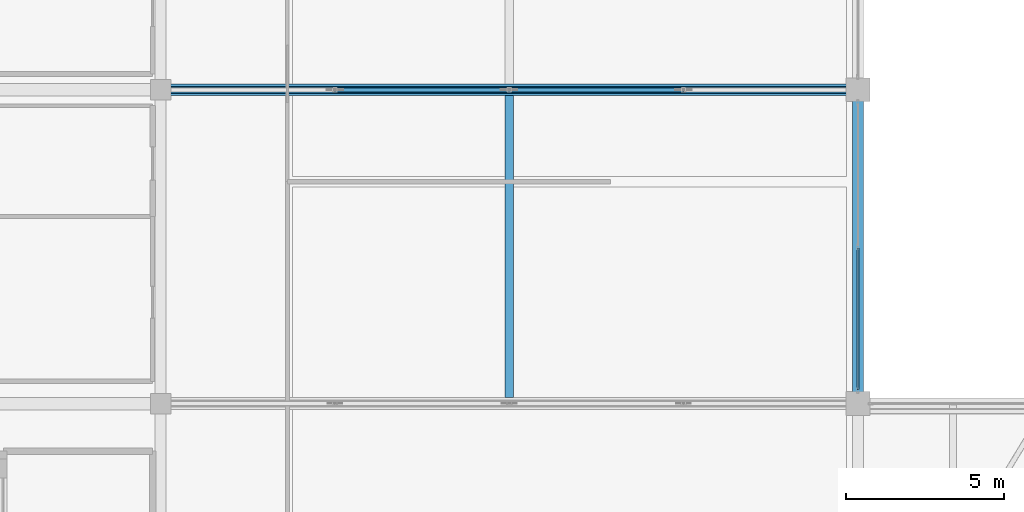
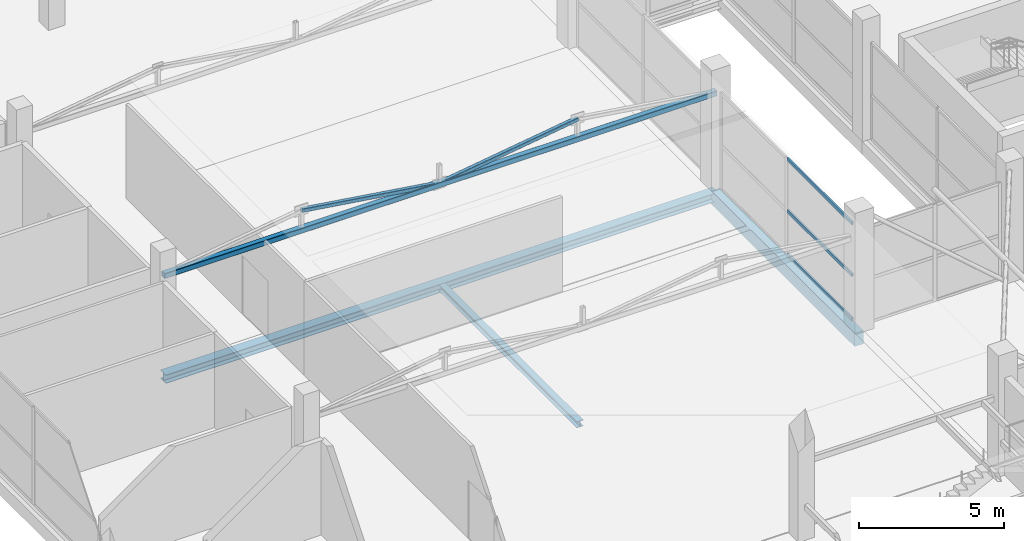
# One storey, part 22 of 67: 6 members, 3 beams, 1 element without a shape of its own.
"""IFC4 building model written with IfcOpenShell, lengths in metres."""

from ifc_helpers import new_model, si_unit, direction, frame, origin, origin_2d, place, context, subcontext, project, spatial, rectangle, hollow_rectangle, i_section, extrude, material, layer, layer_set, material_profile, profile_set, type_object, element, aggregate, save


model = new_model("IFC4")

# Units and contexts
model_context = context("Model", 3, precision=1e-05, world=origin(), true_north=direction((0.0, 1.0)))
body_context = subcontext(model_context, "Body", "Model", "MODEL_VIEW")
ifc_project = project(units=[si_unit("LENGTHUNIT", "METRE"), si_unit("AREAUNIT", "SQUARE_METRE"), si_unit("VOLUMEUNIT", "CUBIC_METRE"), si_unit("PLANEANGLEUNIT", "RADIAN"), si_unit("MASSUNIT", "GRAM", prefix="KILO")], contexts=[model_context])

# Site, building, storey
site_placement = place(None, origin())
site = spatial("IfcSite", under=ifc_project, at=site_placement, CompositionType="ELEMENT")
building_placement = place(site_placement, origin())
building = spatial("IfcBuilding", under=site, at=building_placement, Name="Sillaruma Civic Art Gallery", CompositionType="ELEMENT")
storey_placement = place(building_placement, frame((0.0, 0.0, 46.919921875)))
storey = spatial("IfcBuildingStorey", under=building, at=storey_placement, Name="L09", CompositionType="ELEMENT", Elevation=46.919921875)

# Beams
ifc_material_1 = material(Name="Structural Steel ASTM A992 Gr.50", Category="steel")
ifc_material_profile_1 = material_profile(ifc_material_1, i_section(OverallWidth=0.256103515625, OverallDepth=0.260009765625, WebThickness=0.0107421875, FlangeThickness=0.017333984375, FilletRadius=0.012939453125, at=origin_2d()), Name="W250x89")
ifc_profile_set_1 = profile_set([ifc_material_profile_1], Name="Structural Steel ASTM A992 Gr.50")
beam_type_1 = type_object("IfcBeamType", Name="BM-JOIST-W250x89", PredefinedType="JOIST", material=ifc_profile_set_1)
beam_1_placement = place(storey_placement, frame((81.0, 49.685546875, -0.3798828125), z_axis=(0.0, 1.0, 0.0), x_axis=(-1.0, 0.0, 0.0)))
element("IfcBeam", 1, at=beam_1_placement, inside=storey, type_object=beam_type_1, Name="Long-Span Gallery Joist JS-04 (L08:6-7)", PredefinedType="JOIST", context=body_context, shape_type="SweptSolid", body=[
    extrude(i_section(OverallWidth=0.256103515625, OverallDepth=0.260009765625, WebThickness=0.0107421875, FlangeThickness=0.017333984375, FilletRadius=0.012939453125, at=origin_2d()), origin(), (0.0, 0.0, 1.0), 9.529052734375),
])
ifc_material_2 = material(Name="Concrete H35 (35 MPa)", Category="concrete")
ifc_material_profile_2 = material_profile(ifc_material_2, rectangle(XDim=0.35009765625, YDim=0.550048828125, at=origin_2d()), Name="RCB350x550")
ifc_profile_set_2 = profile_set([ifc_material_profile_2], Name="Concrete H35 (35 MPa)")
beam_type_2 = type_object("IfcBeamType", Name="BM-SPANDREL-RCB350x550", PredefinedType="SPANDREL", material=ifc_profile_set_2)
beam_2_placement = place(storey_placement, frame((92.0, 49.5, -0.52490234375), z_axis=(0.0, 1.0, 0.0), x_axis=(-1.0, 0.0, 0.0)))
element("IfcBeam", 2, at=beam_2_placement, inside=storey, type_object=beam_type_2, Name="Beam BS-04 (L08:K:6-7)", PredefinedType="SPANDREL", context=body_context, shape_type="SweptSolid", body=[
    extrude(rectangle(XDim=0.35009765625, YDim=0.550048828125, at=origin_2d()), origin(), (0.0, 0.0, 1.0), 9.89990234375),
])
ifc_material_profile_3 = material_profile(ifc_material_1, i_section(OverallWidth=0.37109375, OverallDepth=0.364013671875, WebThickness=0.01318359375, FlangeThickness=0.021728515625, FilletRadius=0.014892578125, at=origin_2d()), Name="W360x162")
ifc_profile_set_3 = profile_set([ifc_material_profile_3], Name="Structural Steel ASTM A992 Gr.50")
beam_type_3 = type_object("IfcBeamType", Name="BM-TRTOP-W360x162", PredefinedType="BEAM", material=ifc_profile_set_3)
beam_3_placement = place(storey_placement, frame((70.0, 59.39990234375, -0.431884765625), z_axis=(1.0, 0.0, 0.0), x_axis=(0.0, 1.0, 0.0)))
element("IfcBeam", 3, at=beam_3_placement, inside=storey, type_object=beam_type_3, Name="Warren Truss Top Chord TR-L08-2", PredefinedType="BEAM", context=body_context, shape_type="SweptSolid", body=[
    extrude(i_section(OverallWidth=0.37109375, OverallDepth=0.364013671875, WebThickness=0.01318359375, FlangeThickness=0.021728515625, FilletRadius=0.014892578125, at=origin_2d()), origin(), (0.0, 0.0, 1.0), 22.0),
])

# Members
ifc_material_3 = material(Name="Structural Steel ASTM A500 Gr.C", Category="steel")
ifc_material_profile_4 = material_profile(ifc_material_3, hollow_rectangle(XDim=0.14990234375, YDim=0.14990234375, WallThickness=0.010009765625, InnerFilletRadius=0.010009765625, OuterFilletRadius=0.02001953125, at=origin_2d()), Name="HSS150x150x10")
ifc_profile_set_4 = profile_set([ifc_material_profile_4], Name="Structural Steel ASTM A500 Gr.C")
member_type_1 = type_object("IfcMemberType", Name="MEM-BRACE-HSS150x150x10", PredefinedType="BRACE", material=ifc_profile_set_4)
for number, where, z_axis, x_axis, name in (
    (4, (75.5, 59.39990234375, 4.66796875), (0.989384036218, 0.0, -0.145324563914), (0.0, 1.0, 0.0), "Warren Truss Diagonal TR-L09-2-D2"),
    (5, (81.0, 59.39990234375, 3.860107421875), (0.989384036218, 0.0, 0.145324563914), (0.0, 1.0, 0.0), "Warren Truss Diagonal TR-L09-2-D3"),
):
    element("IfcMember", number, at=place(storey_placement, frame(where, z_axis=z_axis, x_axis=x_axis)), inside=storey, type_object=member_type_1, Name=name, PredefinedType="BRACE", context=body_context, shape_type="SweptSolid", body=[
        extrude(hollow_rectangle(XDim=0.14990234375, YDim=0.14990234375, WallThickness=0.010009765625, InnerFilletRadius=0.010009765625, OuterFilletRadius=0.02001953125, at=origin_2d()), origin(), (0.0, 0.0, 1.0), 5.55908203125),
    ])
ifc_material_profile_5 = material_profile(ifc_material_3, hollow_rectangle(XDim=0.219970703125, YDim=0.219970703125, WallThickness=0.012451171875, InnerFilletRadius=0.012451171875, OuterFilletRadius=0.02490234375, at=origin_2d()), Name="HSS220x220x12.5")
ifc_profile_set_5 = profile_set([ifc_material_profile_5], Name="Structural Steel ASTM A500 Gr.C")
member_type_2 = type_object("IfcMemberType", Name="MEM-CHORD-HSS220x220x12.5", PredefinedType="CHORD", material=ifc_profile_set_5)
member_1_placement = place(storey_placement, frame((70.0, 59.39990234375, 3.860107421875), z_axis=(1.0, 0.0, 0.0), x_axis=(0.0, 1.0, 0.0)))
element("IfcMember", 6, at=member_1_placement, inside=storey, type_object=member_type_2, Name="Warren Truss Bottom Chord TR-L09-2", PredefinedType="CHORD", context=body_context, shape_type="SweptSolid", body=[
    extrude(hollow_rectangle(XDim=0.219970703125, YDim=0.219970703125, WallThickness=0.012451171875, InnerFilletRadius=0.012451171875, OuterFilletRadius=0.02490234375, at=origin_2d()), origin(), (0.0, 0.0, 1.0), 22.0),
])

# Curtain wall, members
ifc_material_4 = material(Name="Thermally Broken Extruded Aluminium 6063-T6", Category="aluminium")
ifc_layer = layer(ifc_material_4, 0.179931640625, Name="Thermally Broken Extruded Aluminium 6063-T6")
ifc_layer_set = layer_set([ifc_layer], Name="Thermally Broken Extruded Aluminium 6063-T6")
curtain_wall_type = type_object("IfcCurtainWallType", Name="CW-UNI-63", PredefinedType="NOTDEFINED", material=ifc_layer_set)
curtain_wall_placement = place(storey_placement, origin())
curtain_wall = element("IfcCurtainWall", 7, at=curtain_wall_placement, inside=storey, type_object=curtain_wall_type, Name="Unitised Curtain Wall CW-63 (CW-L09-WBE-4)", PredefinedType="NOTDEFINED")
ifc_material_profile_6 = material_profile(ifc_material_4, hollow_rectangle(XDim=0.070068359375, YDim=0.139892578125, WallThickness=0.00390625, at=origin_2d()), Name="CWT70x140")
ifc_profile_set_6 = profile_set([ifc_material_profile_6], Name="Thermally Broken Extruded Aluminium 6063-T6")
member_type_3 = type_object("IfcMemberType", Name="MEM-TRN-CWT70x140", PredefinedType="USERDEFINED", material=ifc_profile_set_6)
member_2_placement = place(storey_placement, frame((92.0, 49.945068359375, 0.03515625), z_axis=(0.0, 1.0, 0.0), x_axis=(-1.0, 0.0, 0.0)))
member_2 = element("IfcMember", 8, at=member_2_placement, type_object=member_type_3, Name="CW-63 transom 1.1", ObjectType="TRANSOM", PredefinedType="USERDEFINED", context=body_context, shape_type="SweptSolid", body=[
    extrude(hollow_rectangle(XDim=0.070068359375, YDim=0.139892578125, WallThickness=0.00390625, at=origin_2d()), origin(), (0.0, 0.0, 1.0), 4.469970703125),
])
member_3_placement = place(storey_placement, frame((92.0, 49.945068359375, 1.885986328125), z_axis=(0.0, 1.0, 0.0), x_axis=(-1.0, 0.0, 0.0)))
member_3 = element("IfcMember", 9, at=member_3_placement, type_object=member_type_3, Name="CW-63 transom 1.2", ObjectType="TRANSOM", PredefinedType="USERDEFINED", context=body_context, shape_type="SweptSolid", body=[
    extrude(hollow_rectangle(XDim=0.070068359375, YDim=0.139892578125, WallThickness=0.00390625, at=origin_2d()), origin(), (0.0, 0.0, 1.0), 4.469970703125),
])
member_4_placement = place(storey_placement, frame((92.0, 49.945068359375, 4.065185546875), z_axis=(0.0, 1.0, 0.0), x_axis=(-1.0, 0.0, 0.0)))
member_4 = element("IfcMember", 10, at=member_4_placement, type_object=member_type_3, Name="CW-63 transom 1.3", ObjectType="TRANSOM", PredefinedType="USERDEFINED", context=body_context, shape_type="SweptSolid", body=[
    extrude(hollow_rectangle(XDim=0.070068359375, YDim=0.139892578125, WallThickness=0.00390625, at=origin_2d()), origin(), (0.0, 0.0, 1.0), 4.469970703125),
])
aggregate(curtain_wall, [member_2, member_3, member_4])

save(model, "model.ifc")
